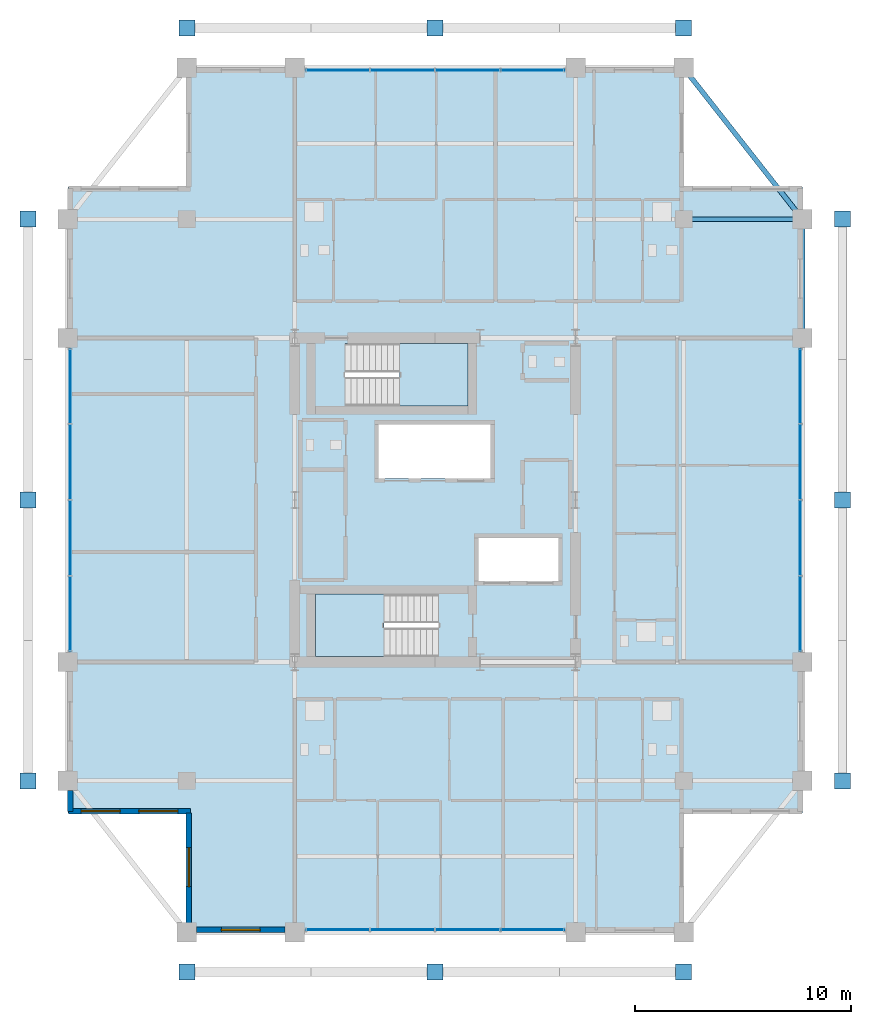
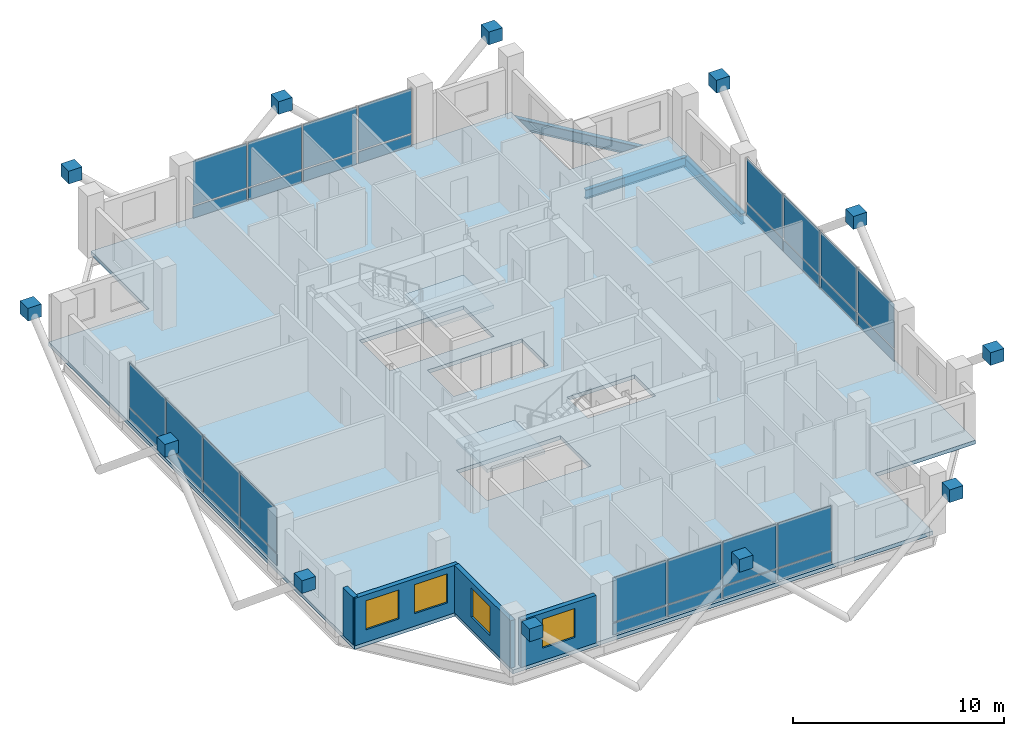
# One storey, part 17 of 23: 44 plates, 4 walls, 4 windows, 3 beams, 3 slabs, 4 openings, 6 elements without a shape of their own.
"""IFC4 building model written with IfcOpenShell, lengths in metres."""

from ifc_helpers import new_model, si_unit, direction, frame, frame_2d, origin, origin_2d, place, context, subcontext, project, spatial, polyline, rectangle, i_section, outline, extrude, material, layer, layer_set, material_profile, profile_set, type_object, element, fill, aggregate, save


model = new_model("IFC4")

# Units and contexts
model_context = context("Model", 3, precision=1e-05, world=origin(), true_north=direction((0.0, 1.0)))
body_context = subcontext(model_context, "Body", "Model", "MODEL_VIEW")
ifc_project = project(units=[si_unit("LENGTHUNIT", "METRE"), si_unit("AREAUNIT", "SQUARE_METRE"), si_unit("VOLUMEUNIT", "CUBIC_METRE"), si_unit("PLANEANGLEUNIT", "RADIAN"), si_unit("MASSUNIT", "GRAM", prefix="KILO")], contexts=[model_context])

# Site, building, storey
site_placement = place(None, origin())
site = spatial("IfcSite", under=ifc_project, at=site_placement, CompositionType="ELEMENT")
building_placement = place(site_placement, origin())
building = spatial("IfcBuilding", under=site, at=building_placement, Name="Barlavira Tower and Art Museum", CompositionType="ELEMENT")
storey_placement = place(building_placement, frame((0.0, 0.0, 236.699951171875)))
storey = spatial("IfcBuildingStorey", under=building, at=storey_placement, Name="L61", CompositionType="ELEMENT", Elevation=236.699951171875)

# Beams
ifc_material_1 = material(Name="Steel S355", Category="steel")
ifc_material_profile_1 = material_profile(ifc_material_1, i_section(OverallWidth=0.22998046875, OverallDepth=0.616943359375, WebThickness=0.01318359375, FlangeThickness=0.022216796875, at=origin_2d()), Name="W610x140.0")
ifc_profile_set_1 = profile_set([ifc_material_profile_1], Name="Steel S355")
beam_type_1 = type_object("IfcBeamType", Name="Upper Shaft Spandrel Edge Beam W610x140 Steel S355", PredefinedType="SPANDREL", material=ifc_profile_set_1)
beam_1_placement = place(storey_placement, frame((17.0, 7.5, -0.528564453125), z_axis=(0.0, 1.0, 0.0), x_axis=(-1.0, 0.0, 0.0)))
element("IfcBeam", 1, at=beam_1_placement, inside=storey, type_object=beam_type_1, Name="L61 Spandrel 7", PredefinedType="SPANDREL", context=body_context, shape_type="SweptSolid", body=[
    extrude(i_section(OverallWidth=0.22998046875, OverallDepth=0.616943359375, WebThickness=0.01318359375, FlangeThickness=0.022216796875, at=origin_2d()), origin(), (0.0, 0.0, 1.0), 5.5),
])
beam_2_placement = place(storey_placement, frame((17.0, 13.0, -0.528564453125), z_axis=(-0.617821551932, 0.786318338822, 0.0), x_axis=(-0.786318338822, -0.617821551932, 0.0)))
element("IfcBeam", 2, at=beam_2_placement, inside=storey, type_object=beam_type_1, Name="L61 Spandrel 8", PredefinedType="SPANDREL", context=body_context, shape_type="SweptSolid", body=[
    extrude(i_section(OverallWidth=0.22998046875, OverallDepth=0.616943359375, WebThickness=0.01318359375, FlangeThickness=0.022216796875, at=origin_2d()), origin(), (0.0, 0.0, 1.0), 8.90234375),
])
ifc_material_profile_2 = material_profile(ifc_material_1, i_section(OverallWidth=0.2109375, OverallDepth=0.5390625, WebThickness=0.01171875, FlangeThickness=0.018798828125, at=origin_2d()), Name="W530x109.0")
ifc_profile_set_2 = profile_set([ifc_material_profile_2], Name="Steel S355")
beam_type_2 = type_object("IfcBeamType", Name="Zone 3-4 Primary Floor Girder W530x109 Steel S355", PredefinedType="BEAM", material=ifc_profile_set_2)
beam_3_placement = place(storey_placement, frame((11.5, 13.0, -0.489501953125), z_axis=(1.0, 0.0, 0.0), x_axis=(0.0, 1.0, 0.0)))
element("IfcBeam", 3, at=beam_3_placement, inside=storey, type_object=beam_type_2, Name="L61 Girder I-N4", PredefinedType="BEAM", context=body_context, shape_type="SweptSolid", body=[
    extrude(i_section(OverallWidth=0.2109375, OverallDepth=0.5390625, WebThickness=0.01171875, FlangeThickness=0.018798828125, at=origin_2d()), origin(), (0.0, 0.0, 1.0), 5.5),
])

# Curtain wall, plates
ifc_material_2 = material(Name="Low-iron coastal laminated glass", Category="glass")
ifc_layer_1 = layer(ifc_material_2, 0.2099609375, Name="Low-iron coastal laminated glass")
ifc_layer_set_1 = layer_set([ifc_layer_1], Name="Low-iron coastal laminated glass")
curtain_wall_type = type_object("IfcCurtainWallType", Name="Pale-Metal Unitised Curtain Wall Zone 4", PredefinedType="NOTDEFINED", material=ifc_layer_set_1)
curtain_wall_1_placement = place(storey_placement, origin())
curtain_wall_1 = element("IfcCurtainWall", 4, at=curtain_wall_1_placement, inside=storey, type_object=curtain_wall_type, Name="L61 Curtain Wall CW4-L61-S-B2", PredefinedType="NOTDEFINED")
ifc_material_3 = material(Name="Pale anodised aluminium", Category="aluminium")
ifc_layer_2 = layer(ifc_material_3, 0.044921875, Name="Pale anodised aluminium")
ifc_layer_set_2 = layer_set([ifc_layer_2], Name="Pale anodised aluminium")
plate_type_1 = type_object("IfcPlateType", Name="Curtain Wall Pale-Metal Spandrel Panel 45", PredefinedType="CURTAIN_PANEL", material=ifc_layer_set_2)
plate_1_placement = place(storey_placement, frame((-4.5224609375, -19.89990234375, 0.0400390625), z_axis=(0.0, 0.0, 1.0), x_axis=(1.0, 0.0, 0.0)))
plate_1 = element("IfcPlate", 5, at=plate_1_placement, type_object=plate_type_1, Name="CW4-L61-S-B2 Spandrel Panel 0", PredefinedType="CURTAIN_PANEL", context=body_context, shape_type="SweptSolid", body=[
    extrude(rectangle(XDim=2.9150390625, YDim=0.044921875, at=origin_2d()), origin(), (0.0, 0.0, 1.0), 0.6640625),
])
plate_2_placement = place(storey_placement, frame((-1.507568359375, -19.89990234375, 0.0400390625), z_axis=(0.0, 0.0, 1.0), x_axis=(1.0, 0.0, 0.0)))
plate_2 = element("IfcPlate", 6, at=plate_2_placement, type_object=plate_type_1, Name="CW4-L61-S-B2 Spandrel Panel 1", PredefinedType="CURTAIN_PANEL", context=body_context, shape_type="SweptSolid", body=[
    extrude(rectangle(XDim=2.9150390625, YDim=0.044921875, at=origin_2d()), origin(), (0.0, 0.0, 1.0), 0.6640625),
])
plate_3_placement = place(storey_placement, frame((1.507568359375, -19.89990234375, 0.0400390625), z_axis=(0.0, 0.0, 1.0), x_axis=(1.0, 0.0, 0.0)))
plate_3 = element("IfcPlate", 7, at=plate_3_placement, type_object=plate_type_1, Name="CW4-L61-S-B2 Spandrel Panel 2", PredefinedType="CURTAIN_PANEL", context=body_context, shape_type="SweptSolid", body=[
    extrude(rectangle(XDim=2.9150390625, YDim=0.044921875, at=origin_2d()), origin(), (0.0, 0.0, 1.0), 0.6640625),
])
plate_4_placement = place(storey_placement, frame((4.5224609375, -19.89990234375, 0.0400390625), z_axis=(0.0, 0.0, 1.0), x_axis=(1.0, 0.0, 0.0)))
plate_4 = element("IfcPlate", 8, at=plate_4_placement, type_object=plate_type_1, Name="CW4-L61-S-B2 Spandrel Panel 3", PredefinedType="CURTAIN_PANEL", context=body_context, shape_type="SweptSolid", body=[
    extrude(rectangle(XDim=2.9150390625, YDim=0.044921875, at=origin_2d()), origin(), (0.0, 0.0, 1.0), 0.6640625),
])

curtain_wall_2_placement = place(storey_placement, origin())
curtain_wall_2 = element("IfcCurtainWall", 9, at=curtain_wall_2_placement, inside=storey, type_object=curtain_wall_type, Name="L61 Curtain Wall CW4-L61-N-B2", PredefinedType="NOTDEFINED")
plate_5_placement = place(storey_placement, frame((4.5224609375, 19.89990234375, 0.0400390625), z_axis=(0.0, 0.0, 1.0), x_axis=(-1.0, 0.0, 0.0)))
plate_5 = element("IfcPlate", 10, at=plate_5_placement, type_object=plate_type_1, Name="CW4-L61-N-B2 Spandrel Panel 0", PredefinedType="CURTAIN_PANEL", context=body_context, shape_type="SweptSolid", body=[
    extrude(rectangle(XDim=2.9150390625, YDim=0.044921875, at=origin_2d()), origin(), (0.0, 0.0, 1.0), 0.6640625),
])
plate_6_placement = place(storey_placement, frame((1.507568359375, 19.89990234375, 0.0400390625), z_axis=(0.0, 0.0, 1.0), x_axis=(-1.0, 0.0, 0.0)))
plate_6 = element("IfcPlate", 11, at=plate_6_placement, type_object=plate_type_1, Name="CW4-L61-N-B2 Spandrel Panel 1", PredefinedType="CURTAIN_PANEL", context=body_context, shape_type="SweptSolid", body=[
    extrude(rectangle(XDim=2.9150390625, YDim=0.044921875, at=origin_2d()), origin(), (0.0, 0.0, 1.0), 0.6640625),
])
plate_7_placement = place(storey_placement, frame((-1.507568359375, 19.89990234375, 0.0400390625), z_axis=(0.0, 0.0, 1.0), x_axis=(-1.0, 0.0, 0.0)))
plate_7 = element("IfcPlate", 12, at=plate_7_placement, type_object=plate_type_1, Name="CW4-L61-N-B2 Spandrel Panel 2", PredefinedType="CURTAIN_PANEL", context=body_context, shape_type="SweptSolid", body=[
    extrude(rectangle(XDim=2.9150390625, YDim=0.044921875, at=origin_2d()), origin(), (0.0, 0.0, 1.0), 0.6640625),
])
plate_8_placement = place(storey_placement, frame((-4.5224609375, 19.89990234375, 0.0400390625), z_axis=(0.0, 0.0, 1.0), x_axis=(-1.0, 0.0, 0.0)))
plate_8 = element("IfcPlate", 13, at=plate_8_placement, type_object=plate_type_1, Name="CW4-L61-N-B2 Spandrel Panel 3", PredefinedType="CURTAIN_PANEL", context=body_context, shape_type="SweptSolid", body=[
    extrude(rectangle(XDim=2.9150390625, YDim=0.044921875, at=origin_2d()), origin(), (0.0, 0.0, 1.0), 0.6640625),
])

curtain_wall_3_placement = place(storey_placement, origin())
curtain_wall_3 = element("IfcCurtainWall", 14, at=curtain_wall_3_placement, inside=storey, type_object=curtain_wall_type, Name="L61 Curtain Wall CW4-L61-W-B3", PredefinedType="NOTDEFINED")
plate_9_placement = place(storey_placement, frame((-16.89990234375, 5.2724609375, 0.0400390625), z_axis=(0.0, 0.0, 1.0), x_axis=(0.0, -1.0, 0.0)))
plate_9 = element("IfcPlate", 15, at=plate_9_placement, type_object=plate_type_1, Name="CW4-L61-W-B3 Spandrel Panel 0", PredefinedType="CURTAIN_PANEL", context=body_context, shape_type="SweptSolid", body=[
    extrude(rectangle(XDim=3.4150390625, YDim=0.044921875, at=origin_2d()), origin(), (0.0, 0.0, 1.0), 0.6640625),
])
plate_10_placement = place(storey_placement, frame((-16.89990234375, 1.757568359375, 0.0400390625), z_axis=(0.0, 0.0, 1.0), x_axis=(0.0, -1.0, 0.0)))
plate_10 = element("IfcPlate", 16, at=plate_10_placement, type_object=plate_type_1, Name="CW4-L61-W-B3 Spandrel Panel 1", PredefinedType="CURTAIN_PANEL", context=body_context, shape_type="SweptSolid", body=[
    extrude(rectangle(XDim=3.4150390625, YDim=0.044921875, at=origin_2d()), origin(), (0.0, 0.0, 1.0), 0.6640625),
])
plate_11_placement = place(storey_placement, frame((-16.89990234375, -1.757568359375, 0.0400390625), z_axis=(0.0, 0.0, 1.0), x_axis=(0.0, -1.0, 0.0)))
plate_11 = element("IfcPlate", 17, at=plate_11_placement, type_object=plate_type_1, Name="CW4-L61-W-B3 Spandrel Panel 2", PredefinedType="CURTAIN_PANEL", context=body_context, shape_type="SweptSolid", body=[
    extrude(rectangle(XDim=3.4150390625, YDim=0.044921875, at=origin_2d()), origin(), (0.0, 0.0, 1.0), 0.6640625),
])
plate_12_placement = place(storey_placement, frame((-16.89990234375, -5.2724609375, 0.0400390625), z_axis=(0.0, 0.0, 1.0), x_axis=(0.0, -1.0, 0.0)))
plate_12 = element("IfcPlate", 18, at=plate_12_placement, type_object=plate_type_1, Name="CW4-L61-W-B3 Spandrel Panel 3", PredefinedType="CURTAIN_PANEL", context=body_context, shape_type="SweptSolid", body=[
    extrude(rectangle(XDim=3.4150390625, YDim=0.044921875, at=origin_2d()), origin(), (0.0, 0.0, 1.0), 0.6640625),
])

curtain_wall_4_placement = place(storey_placement, origin())
curtain_wall_4 = element("IfcCurtainWall", 19, at=curtain_wall_4_placement, inside=storey, type_object=curtain_wall_type, Name="L61 Curtain Wall CW4-L61-E-B3", PredefinedType="NOTDEFINED")
plate_13_placement = place(storey_placement, frame((16.89990234375, -5.2724609375, 0.0400390625), z_axis=(0.0, 0.0, 1.0), x_axis=(0.0, 1.0, 0.0)))
plate_13 = element("IfcPlate", 20, at=plate_13_placement, type_object=plate_type_1, Name="CW4-L61-E-B3 Spandrel Panel 0", PredefinedType="CURTAIN_PANEL", context=body_context, shape_type="SweptSolid", body=[
    extrude(rectangle(XDim=3.4150390625, YDim=0.044921875, at=origin_2d()), origin(), (0.0, 0.0, 1.0), 0.6640625),
])
plate_14_placement = place(storey_placement, frame((16.89990234375, -1.757568359375, 0.0400390625), z_axis=(0.0, 0.0, 1.0), x_axis=(0.0, 1.0, 0.0)))
plate_14 = element("IfcPlate", 21, at=plate_14_placement, type_object=plate_type_1, Name="CW4-L61-E-B3 Spandrel Panel 1", PredefinedType="CURTAIN_PANEL", context=body_context, shape_type="SweptSolid", body=[
    extrude(rectangle(XDim=3.4150390625, YDim=0.044921875, at=origin_2d()), origin(), (0.0, 0.0, 1.0), 0.6640625),
])
plate_15_placement = place(storey_placement, frame((16.89990234375, 1.757568359375, 0.0400390625), z_axis=(0.0, 0.0, 1.0), x_axis=(0.0, 1.0, 0.0)))
plate_15 = element("IfcPlate", 22, at=plate_15_placement, type_object=plate_type_1, Name="CW4-L61-E-B3 Spandrel Panel 2", PredefinedType="CURTAIN_PANEL", context=body_context, shape_type="SweptSolid", body=[
    extrude(rectangle(XDim=3.4150390625, YDim=0.044921875, at=origin_2d()), origin(), (0.0, 0.0, 1.0), 0.6640625),
])
plate_16_placement = place(storey_placement, frame((16.89990234375, 5.2724609375, 0.0400390625), z_axis=(0.0, 0.0, 1.0), x_axis=(0.0, 1.0, 0.0)))
plate_16 = element("IfcPlate", 23, at=plate_16_placement, type_object=plate_type_1, Name="CW4-L61-E-B3 Spandrel Panel 3", PredefinedType="CURTAIN_PANEL", context=body_context, shape_type="SweptSolid", body=[
    extrude(rectangle(XDim=3.4150390625, YDim=0.044921875, at=origin_2d()), origin(), (0.0, 0.0, 1.0), 0.6640625),
])

# Plate
ifc_layer_3 = layer(ifc_material_2, 0.028076171875, Name="Low-iron coastal laminated glass")
ifc_layer_set_3 = layer_set([ifc_layer_3], Name="Low-iron coastal laminated glass")
plate_type_2 = type_object("IfcPlateType", Name="Curtain Wall Vision Glazing Panel 28", PredefinedType="CURTAIN_PANEL", material=ifc_layer_set_3)
plate_17_placement = place(storey_placement, frame((-4.5224609375, -19.89990234375, 0.7841796875), z_axis=(0.0, 0.0, 1.0), x_axis=(1.0, 0.0, 0.0)))
plate_17 = element("IfcPlate", 24, at=plate_17_placement, type_object=plate_type_2, Name="CW4-L61-S-B2 Vision Glass Panel 0", PredefinedType="CURTAIN_PANEL", context=body_context, shape_type="SweptSolid", body=[
    extrude(rectangle(XDim=2.9150390625, YDim=0.028076171875, at=origin_2d()), origin(), (0.0, 0.0, 1.0), 2.555908203125),
])

plate_18_placement = place(storey_placement, frame((-1.507568359375, -19.89990234375, 0.7841796875), z_axis=(0.0, 0.0, 1.0), x_axis=(1.0, 0.0, 0.0)))
plate_18 = element("IfcPlate", 25, at=plate_18_placement, type_object=plate_type_2, Name="CW4-L61-S-B2 Vision Glass Panel 1", PredefinedType="CURTAIN_PANEL", context=body_context, shape_type="SweptSolid", body=[
    extrude(rectangle(XDim=2.9150390625, YDim=0.028076171875, at=origin_2d()), origin(), (0.0, 0.0, 1.0), 2.555908203125),
])

plate_19_placement = place(storey_placement, frame((1.507568359375, -19.89990234375, 0.7841796875), z_axis=(0.0, 0.0, 1.0), x_axis=(1.0, 0.0, 0.0)))
plate_19 = element("IfcPlate", 26, at=plate_19_placement, type_object=plate_type_2, Name="CW4-L61-S-B2 Vision Glass Panel 2", PredefinedType="CURTAIN_PANEL", context=body_context, shape_type="SweptSolid", body=[
    extrude(rectangle(XDim=2.9150390625, YDim=0.028076171875, at=origin_2d()), origin(), (0.0, 0.0, 1.0), 2.555908203125),
])

plate_20_placement = place(storey_placement, frame((4.5224609375, -19.89990234375, 0.7841796875), z_axis=(0.0, 0.0, 1.0), x_axis=(1.0, 0.0, 0.0)))
plate_20 = element("IfcPlate", 27, at=plate_20_placement, type_object=plate_type_2, Name="CW4-L61-S-B2 Vision Glass Panel 3", PredefinedType="CURTAIN_PANEL", context=body_context, shape_type="SweptSolid", body=[
    extrude(rectangle(XDim=2.9150390625, YDim=0.028076171875, at=origin_2d()), origin(), (0.0, 0.0, 1.0), 2.555908203125),
])

aggregate(curtain_wall_1, [plate_1, plate_17, plate_2, plate_18, plate_3, plate_19, plate_4, plate_20])

plate_21_placement = place(storey_placement, frame((4.5224609375, 19.89990234375, 0.7841796875), z_axis=(0.0, 0.0, 1.0), x_axis=(-1.0, 0.0, 0.0)))
plate_21 = element("IfcPlate", 28, at=plate_21_placement, type_object=plate_type_2, Name="CW4-L61-N-B2 Vision Glass Panel 0", PredefinedType="CURTAIN_PANEL", context=body_context, shape_type="SweptSolid", body=[
    extrude(rectangle(XDim=2.9150390625, YDim=0.028076171875, at=origin_2d()), origin(), (0.0, 0.0, 1.0), 2.555908203125),
])

plate_22_placement = place(storey_placement, frame((1.507568359375, 19.89990234375, 0.7841796875), z_axis=(0.0, 0.0, 1.0), x_axis=(-1.0, 0.0, 0.0)))
plate_22 = element("IfcPlate", 29, at=plate_22_placement, type_object=plate_type_2, Name="CW4-L61-N-B2 Vision Glass Panel 1", PredefinedType="CURTAIN_PANEL", context=body_context, shape_type="SweptSolid", body=[
    extrude(rectangle(XDim=2.9150390625, YDim=0.028076171875, at=origin_2d()), origin(), (0.0, 0.0, 1.0), 2.555908203125),
])

plate_23_placement = place(storey_placement, frame((-1.507568359375, 19.89990234375, 0.7841796875), z_axis=(0.0, 0.0, 1.0), x_axis=(-1.0, 0.0, 0.0)))
plate_23 = element("IfcPlate", 30, at=plate_23_placement, type_object=plate_type_2, Name="CW4-L61-N-B2 Vision Glass Panel 2", PredefinedType="CURTAIN_PANEL", context=body_context, shape_type="SweptSolid", body=[
    extrude(rectangle(XDim=2.9150390625, YDim=0.028076171875, at=origin_2d()), origin(), (0.0, 0.0, 1.0), 2.555908203125),
])

plate_24_placement = place(storey_placement, frame((-4.5224609375, 19.89990234375, 0.7841796875), z_axis=(0.0, 0.0, 1.0), x_axis=(-1.0, 0.0, 0.0)))
plate_24 = element("IfcPlate", 31, at=plate_24_placement, type_object=plate_type_2, Name="CW4-L61-N-B2 Vision Glass Panel 3", PredefinedType="CURTAIN_PANEL", context=body_context, shape_type="SweptSolid", body=[
    extrude(rectangle(XDim=2.9150390625, YDim=0.028076171875, at=origin_2d()), origin(), (0.0, 0.0, 1.0), 2.555908203125),
])

aggregate(curtain_wall_2, [plate_5, plate_21, plate_6, plate_22, plate_7, plate_23, plate_8, plate_24])

plate_25_placement = place(storey_placement, frame((-16.89990234375, 5.2724609375, 0.7841796875), z_axis=(0.0, 0.0, 1.0), x_axis=(0.0, -1.0, 0.0)))
plate_25 = element("IfcPlate", 32, at=plate_25_placement, type_object=plate_type_2, Name="CW4-L61-W-B3 Vision Glass Panel 0", PredefinedType="CURTAIN_PANEL", context=body_context, shape_type="SweptSolid", body=[
    extrude(rectangle(XDim=3.4150390625, YDim=0.028076171875, at=origin_2d()), origin(), (0.0, 0.0, 1.0), 2.555908203125),
])

plate_26_placement = place(storey_placement, frame((-16.89990234375, 1.757568359375, 0.7841796875), z_axis=(0.0, 0.0, 1.0), x_axis=(0.0, -1.0, 0.0)))
plate_26 = element("IfcPlate", 33, at=plate_26_placement, type_object=plate_type_2, Name="CW4-L61-W-B3 Vision Glass Panel 1", PredefinedType="CURTAIN_PANEL", context=body_context, shape_type="SweptSolid", body=[
    extrude(rectangle(XDim=3.4150390625, YDim=0.028076171875, at=origin_2d()), origin(), (0.0, 0.0, 1.0), 2.555908203125),
])

plate_27_placement = place(storey_placement, frame((-16.89990234375, -1.757568359375, 0.7841796875), z_axis=(0.0, 0.0, 1.0), x_axis=(0.0, -1.0, 0.0)))
plate_27 = element("IfcPlate", 34, at=plate_27_placement, type_object=plate_type_2, Name="CW4-L61-W-B3 Vision Glass Panel 2", PredefinedType="CURTAIN_PANEL", context=body_context, shape_type="SweptSolid", body=[
    extrude(rectangle(XDim=3.4150390625, YDim=0.028076171875, at=origin_2d()), origin(), (0.0, 0.0, 1.0), 2.555908203125),
])

plate_28_placement = place(storey_placement, frame((-16.89990234375, -5.2724609375, 0.7841796875), z_axis=(0.0, 0.0, 1.0), x_axis=(0.0, -1.0, 0.0)))
plate_28 = element("IfcPlate", 35, at=plate_28_placement, type_object=plate_type_2, Name="CW4-L61-W-B3 Vision Glass Panel 3", PredefinedType="CURTAIN_PANEL", context=body_context, shape_type="SweptSolid", body=[
    extrude(rectangle(XDim=3.4150390625, YDim=0.028076171875, at=origin_2d()), origin(), (0.0, 0.0, 1.0), 2.555908203125),
])

aggregate(curtain_wall_3, [plate_9, plate_25, plate_10, plate_26, plate_11, plate_27, plate_12, plate_28])

plate_29_placement = place(storey_placement, frame((16.89990234375, -5.2724609375, 0.7841796875), z_axis=(0.0, 0.0, 1.0), x_axis=(0.0, 1.0, 0.0)))
plate_29 = element("IfcPlate", 36, at=plate_29_placement, type_object=plate_type_2, Name="CW4-L61-E-B3 Vision Glass Panel 0", PredefinedType="CURTAIN_PANEL", context=body_context, shape_type="SweptSolid", body=[
    extrude(rectangle(XDim=3.4150390625, YDim=0.028076171875, at=origin_2d()), origin(), (0.0, 0.0, 1.0), 2.555908203125),
])

plate_30_placement = place(storey_placement, frame((16.89990234375, -1.757568359375, 0.7841796875), z_axis=(0.0, 0.0, 1.0), x_axis=(0.0, 1.0, 0.0)))
plate_30 = element("IfcPlate", 37, at=plate_30_placement, type_object=plate_type_2, Name="CW4-L61-E-B3 Vision Glass Panel 1", PredefinedType="CURTAIN_PANEL", context=body_context, shape_type="SweptSolid", body=[
    extrude(rectangle(XDim=3.4150390625, YDim=0.028076171875, at=origin_2d()), origin(), (0.0, 0.0, 1.0), 2.555908203125),
])

plate_31_placement = place(storey_placement, frame((16.89990234375, 1.757568359375, 0.7841796875), z_axis=(0.0, 0.0, 1.0), x_axis=(0.0, 1.0, 0.0)))
plate_31 = element("IfcPlate", 38, at=plate_31_placement, type_object=plate_type_2, Name="CW4-L61-E-B3 Vision Glass Panel 2", PredefinedType="CURTAIN_PANEL", context=body_context, shape_type="SweptSolid", body=[
    extrude(rectangle(XDim=3.4150390625, YDim=0.028076171875, at=origin_2d()), origin(), (0.0, 0.0, 1.0), 2.555908203125),
])

plate_32_placement = place(storey_placement, frame((16.89990234375, 5.2724609375, 0.7841796875), z_axis=(0.0, 0.0, 1.0), x_axis=(0.0, 1.0, 0.0)))
plate_32 = element("IfcPlate", 39, at=plate_32_placement, type_object=plate_type_2, Name="CW4-L61-E-B3 Vision Glass Panel 3", PredefinedType="CURTAIN_PANEL", context=body_context, shape_type="SweptSolid", body=[
    extrude(rectangle(XDim=3.4150390625, YDim=0.028076171875, at=origin_2d()), origin(), (0.0, 0.0, 1.0), 2.555908203125),
])

aggregate(curtain_wall_4, [plate_13, plate_29, plate_14, plate_30, plate_15, plate_31, plate_16, plate_32])

# Plates
ifc_layer_4 = layer(ifc_material_1, 0.739990234375, Name="Steel S355")
ifc_layer_set_4 = layer_set([ifc_layer_4], Name="Steel S355")
plate_type_3 = type_object("IfcPlateType", Name="Exoskeleton Solid Steel Node Cap Plate Assembly Type 4 Steel S355", PredefinedType="USERDEFINED", material=ifc_layer_set_4)
for number, where, z_axis, x_axis, name in (
    (40, (-11.5, -21.85009765625, 3.10986328125), (0.0, 0.0, 1.0), (1.0, 0.0, 0.0), "Exoskeleton Node S ND-L61-0669"),
    (41, (0.0, -21.85009765625, 3.10986328125), (0.0, 0.0, 1.0), (1.0, 0.0, 0.0), "Exoskeleton Node S ND-L61-0670"),
    (42, (11.5, -21.85009765625, 3.10986328125), (0.0, 0.0, 1.0), (1.0, 0.0, 0.0), "Exoskeleton Node S ND-L61-0671"),
    (43, (-11.5, 21.85009765625, 3.10986328125), (0.0, 0.0, 1.0), (1.0, 0.0, 0.0), "Exoskeleton Node N ND-L61-0677"),
    (44, (0.0, 21.85009765625, 3.10986328125), (0.0, 0.0, 1.0), (1.0, 0.0, 0.0), "Exoskeleton Node N ND-L61-0678"),
    (45, (11.5, 21.85009765625, 3.10986328125), (0.0, 0.0, 1.0), (1.0, 0.0, 0.0), "Exoskeleton Node N ND-L61-0679"),
    (46, (-18.85009765625, -13.0, 3.10986328125), (0.0, 0.0, 1.0), (1.0, 0.0, 0.0), "Exoskeleton Node W ND-L61-0685"),
    (47, (-18.85009765625, 0.0, 3.10986328125), (0.0, 0.0, 1.0), (1.0, 0.0, 0.0), "Exoskeleton Node W ND-L61-0686"),
    (48, (-18.85009765625, 13.0, 3.10986328125), (0.0, 0.0, 1.0), (1.0, 0.0, 0.0), "Exoskeleton Node W ND-L61-0687"),
    (49, (18.85009765625, -13.0, 3.10986328125), (0.0, 0.0, 1.0), (1.0, 0.0, 0.0), "Exoskeleton Node E ND-L61-0693"),
    (50, (18.85009765625, 0.0, 3.10986328125), (0.0, 0.0, 1.0), (1.0, 0.0, 0.0), "Exoskeleton Node E ND-L61-0694"),
    (51, (18.85009765625, 13.0, 3.10986328125), (0.0, 0.0, 1.0), (1.0, 0.0, 0.0), "Exoskeleton Node E ND-L61-0695"),
):
    element("IfcPlate", number, at=place(storey_placement, frame(where, z_axis=z_axis, x_axis=x_axis)), inside=storey, type_object=plate_type_3, Name=name, ObjectType="FLANGE_PLATE", PredefinedType="USERDEFINED", context=body_context, shape_type="SweptSolid", body=[
        extrude(rectangle(XDim=0.739990234375, YDim=0.739990234375, at=origin_2d()), origin(), (0.0, 0.0, 1.0), 0.739990234375),
    ])

# Stair, slab
ifc_material_4 = material(Name="Concrete C45", Category="concrete")
stair_type_1 = type_object("IfcStairType", Name="Tower North Dog-Leg Exit Stair Assembly Concrete C45", PredefinedType="TWO_QUARTER_TURN_STAIR", material=ifc_material_4)
stair_1_placement = place(storey_placement, origin())
stair_1 = element("IfcStair", 52, at=stair_1_placement, inside=storey, type_object=stair_type_1, Name="L61 Tower North Exit Stair ST-T2", PredefinedType="TWO_QUARTER_TURN_STAIR")
ifc_layer_5 = layer(ifc_material_4, 0.199951171875, Name="Concrete C45")
ifc_layer_set_5 = layer_set([ifc_layer_5], Name="Concrete C45")
slab_type_1 = type_object("IfcSlabType", Name="Tower North Dog-Leg Exit Stair Half-Landing Slab 200 Concrete C45", PredefinedType="LANDING", material=ifc_layer_set_5)
slab_1_placement = place(storey_placement, frame((0.0, 0.0, 1.60009765625)))
slab_1 = element("IfcSlab", 53, at=slab_1_placement, type_object=slab_type_1, Name="ST-T2 landing 1", PredefinedType="LANDING", context=body_context, shape_type="SweptSolid", body=[
    extrude(outline(polyline([(-1.64990234375, 4.35009765625), (1.530029296875, 4.35009765625), (1.530029296875, 7.25), (-1.64990234375, 7.25), (-1.64990234375, 4.35009765625)])), origin(), (0.0, 0.0, 1.0), 0.199951171875),
])
aggregate(stair_1, [slab_1])

stair_type_2 = type_object("IfcStairType", Name="Tower South Dog-Leg Exit Stair Assembly Concrete C45", PredefinedType="TWO_QUARTER_TURN_STAIR", material=ifc_material_4)
stair_2_placement = place(storey_placement, origin())
stair_2 = element("IfcStair", 54, at=stair_2_placement, inside=storey, type_object=stair_type_2, Name="L61 Tower South Exit Stair ST-T1", PredefinedType="TWO_QUARTER_TURN_STAIR")
ifc_layer_6 = layer(ifc_material_4, 0.199951171875, Name="Concrete C45")
ifc_layer_set_6 = layer_set([ifc_layer_6], Name="Concrete C45")
slab_type_2 = type_object("IfcSlabType", Name="Tower South Dog-Leg Exit Stair Half-Landing Slab 200 Concrete C45", PredefinedType="LANDING", material=ifc_layer_set_6)
slab_2_placement = place(storey_placement, frame((0.0, 0.0, 1.60009765625)))
slab_2 = element("IfcSlab", 55, at=slab_2_placement, type_object=slab_type_2, Name="ST-T1 landing 1", PredefinedType="LANDING", context=body_context, shape_type="SweptSolid", body=[
    extrude(outline(polyline([(-2.3701171875, -4.35009765625), (-5.550048828125, -4.35009765625), (-5.550048828125, -7.25), (-2.3701171875, -7.25), (-2.3701171875, -4.35009765625)])), origin(), (0.0, 0.0, 1.0), 0.199951171875),
])
aggregate(stair_2, [slab_2])

# Slab
ifc_material_5 = material(Name="Concrete C50", Category="concrete")
ifc_layer_7 = layer(ifc_material_5, 0.18994140625, Name="Concrete C50")
ifc_layer_set_7 = layer_set([ifc_layer_7], Name="Concrete C50")
slab_type_3 = type_object("IfcSlabType", Name="Zone 4 Residential Composite Slab 190 Concrete C50", PredefinedType="FLOOR", material=ifc_layer_set_7)
slab_3_placement = place(storey_placement, frame((0.0, 0.0, -0.219970703125)))
element("IfcSlab", 56, at=slab_3_placement, inside=storey, type_object=slab_type_3, Name="L61 Tower Floor Slab", PredefinedType="FLOOR", context=body_context, shape_type="SweptSolid", body=[
    extrude(outline(polyline([(-11.5, -20.0), (11.5, -20.0), (11.5, -14.5), (17.0, -14.5), (17.0, 14.5), (11.5, 14.5), (11.5, 20.0), (-11.5, 20.0), (-11.5, 14.5), (-17.0, 14.5), (-17.0, -14.5), (-11.5, -14.5), (-11.5, -20.0)]), holes=[polyline([(0.14990234375, -4.35009765625), (-5.550048828125, -4.35009765625), (-5.550048828125, -7.25), (0.14990234375, -7.25), (0.14990234375, -4.35009765625)]), polyline([(-4.169921875, 4.35009765625), (1.530029296875, 4.35009765625), (1.530029296875, 7.25), (-4.169921875, 7.25), (-4.169921875, 4.35009765625)]), polyline([(-2.6201171875, 1.0), (2.56005859375, 1.0), (2.56005859375, 3.5), (-2.6201171875, 3.5), (-2.6201171875, 1.0)]), polyline([(2.0, -3.75), (5.699951171875, -3.75), (5.699951171875, -1.75), (2.0, -1.75), (2.0, -3.75)])]), origin(), (0.0, 0.0, 1.0), 0.219970703125),
])

# Wall, opening, window
ifc_material_6 = material(Name="Precast concrete C40", Category="concrete")
ifc_layer_8 = layer(ifc_material_6, 0.25, Name="Precast concrete C40")
ifc_layer_set_8 = layer_set([ifc_layer_8], Name="Precast concrete C40")
wall_type = type_object("IfcWallType", Name="Notched Corner Spandrel Wall 250 Precast Concrete C40", PredefinedType="SOLIDWALL", material=ifc_layer_set_8)
wall_1_placement = place(storey_placement, frame((-11.054931640625, -19.89990234375, 0.0), z_axis=(0.0, 0.0, 1.0), x_axis=(1.0, 0.0, 0.0)))
wall_1 = element("IfcWall", 57, at=wall_1_placement, inside=storey, type_object=wall_type, Name="L61 Coastal Facade Pier Wall CW4-L61-S-1", PredefinedType="SOLIDWALL", context=body_context, shape_type="SweptSolid", body=[
    extrude(rectangle(XDim=4.10986328125, YDim=0.25, at=frame_2d((2.054931640625, 0.0))), origin(), (0.0, 0.0, 1.0), 2.748046875),
])
opening_1_placement = place(wall_1_placement, frame((1.155029296875, 0.0, 0.719970703125)))
opening_1 = element("IfcOpeningElement", 58, at=opening_1_placement, cuts=wall_1, Name="Opening WN-01", PredefinedType="OPENING", context=body_context, shape_type="SweptSolid", body=[
    extrude(rectangle(XDim=1.800048828125, YDim=1.679931640625, at=frame_2d((0.89990234375, 0.83984375))), frame((0.0, 0.135009765625, 0.0), z_axis=(0.0, -1.0, 0.0), x_axis=(1.0, 0.0, 0.0)), (0.0, 0.0, 1.0), 0.27001953125),
])
window_type = type_object("IfcWindowType", Name="Recessed Notch Corner Punch Window 1800x1680", PartitioningType="SINGLE_PANEL", PredefinedType="WINDOW", material=ifc_material_2)
window_1_placement = place(opening_1_placement, origin())
window_1 = element("IfcWindow", 59, at=window_1_placement, inside=storey, type_object=window_type, Name="L61 Punched Facade Window EWP-CW4-L61-S-1-1", OverallHeight=1.679931640625, OverallWidth=1.800048828125, PartitioningType="SINGLE_PANEL", PredefinedType="WINDOW", context=body_context, shape_type="SweptSolid", body=[
    extrude(rectangle(XDim=1.800048828125, YDim=1.679931640625, at=frame_2d((0.89990234375, 0.83984375))), frame((0.0, 0.030029296875, 0.0), z_axis=(0.0, -1.0, 0.0), x_axis=(1.0, 0.0, 0.0)), (0.0, 0.0, 1.0), 0.06005859375),
])
fill(opening_1, window_1)

# Wall
wall_2_placement = place(storey_placement, frame((-16.89990234375, -13.445068359375, 0.0), z_axis=(0.0, 0.0, 1.0), x_axis=(0.0, -1.0, 0.0)))
element("IfcWall", 60, at=wall_2_placement, inside=storey, type_object=wall_type, Name="L61 Coastal Facade Pier Wall CW4-L61-W-5", PredefinedType="SOLIDWALL", context=body_context, shape_type="SweptSolid", body=[
    extrude(rectangle(XDim=0.97998046875, YDim=0.25, at=frame_2d((0.489990234375, 0.0))), origin(), (0.0, 0.0, 1.0), 2.748046875),
])

# Wall, openings, windows
wall_3_placement = place(storey_placement, frame((-16.97998046875, -14.39990234375, 0.0), z_axis=(0.0, 0.0, 1.0), x_axis=(1.0, 0.0, 0.0)))
wall_3 = element("IfcWall", 61, at=wall_3_placement, inside=storey, type_object=wall_type, Name="L61 Notch Corner Wall SW1", PredefinedType="SOLIDWALL", context=body_context, shape_type="SweptSolid", body=[
    extrude(rectangle(XDim=5.659912109375, YDim=0.25, at=frame_2d((2.830078125, 0.0))), origin(), (0.0, 0.0, 1.0), 2.748046875),
])
opening_2_placement = place(wall_3_placement, frame((0.594970703125, 0.0, 0.719970703125)))
opening_2 = element("IfcOpeningElement", 62, at=opening_2_placement, cuts=wall_3, Name="Opening WN-01", PredefinedType="OPENING", context=body_context, shape_type="SweptSolid", body=[
    extrude(rectangle(XDim=1.800048828125, YDim=1.679931640625, at=frame_2d((0.89990234375, 0.83984375))), frame((0.0, 0.135009765625, 0.0), z_axis=(0.0, -1.0, 0.0), x_axis=(1.0, 0.0, 0.0)), (0.0, 0.0, 1.0), 0.27001953125),
])
opening_3_placement = place(wall_3_placement, frame((3.264892578125, 0.0, 0.719970703125)))
opening_3 = element("IfcOpeningElement", 63, at=opening_3_placement, cuts=wall_3, Name="Opening WN-01", PredefinedType="OPENING", context=body_context, shape_type="SweptSolid", body=[
    extrude(rectangle(XDim=1.800048828125, YDim=1.679931640625, at=frame_2d((0.89990234375, 0.83984375))), frame((0.0, 0.135009765625, 0.0), z_axis=(0.0, -1.0, 0.0), x_axis=(1.0, 0.0, 0.0)), (0.0, 0.0, 1.0), 0.27001953125),
])
window_2_placement = place(opening_2_placement, origin())
window_2 = element("IfcWindow", 64, at=window_2_placement, inside=storey, type_object=window_type, Name="L61 Punched Facade Window EW-NTC-L61-SW1-1", OverallHeight=1.679931640625, OverallWidth=1.800048828125, PartitioningType="SINGLE_PANEL", PredefinedType="WINDOW", context=body_context, shape_type="SweptSolid", body=[
    extrude(rectangle(XDim=1.800048828125, YDim=1.679931640625, at=frame_2d((0.89990234375, 0.83984375))), frame((0.0, 0.030029296875, 0.0), z_axis=(0.0, -1.0, 0.0), x_axis=(1.0, 0.0, 0.0)), (0.0, 0.0, 1.0), 0.06005859375),
])
fill(opening_2, window_2)
window_3_placement = place(opening_3_placement, origin())
window_3 = element("IfcWindow", 65, at=window_3_placement, inside=storey, type_object=window_type, Name="L61 Punched Facade Window EW-NTC-L61-SW1-2", OverallHeight=1.679931640625, OverallWidth=1.800048828125, PartitioningType="SINGLE_PANEL", PredefinedType="WINDOW", context=body_context, shape_type="SweptSolid", body=[
    extrude(rectangle(XDim=1.800048828125, YDim=1.679931640625, at=frame_2d((0.89990234375, 0.83984375))), frame((0.0, 0.030029296875, 0.0), z_axis=(0.0, -1.0, 0.0), x_axis=(1.0, 0.0, 0.0)), (0.0, 0.0, 1.0), 0.06005859375),
])
fill(opening_3, window_3)

# Wall, opening, window
wall_4_placement = place(storey_placement, frame((-11.39990234375, -14.47998046875, 0.0), z_axis=(0.0, 0.0, 1.0), x_axis=(0.0, -1.0, 0.0)))
wall_4 = element("IfcWall", 66, at=wall_4_placement, inside=storey, type_object=wall_type, Name="L61 Notch Corner Wall SW2", PredefinedType="SOLIDWALL", context=body_context, shape_type="SweptSolid", body=[
    extrude(rectangle(XDim=5.340087890625, YDim=0.25, at=frame_2d((2.669921875, 0.0))), origin(), (0.0, 0.0, 1.0), 2.748046875),
])
opening_4_placement = place(wall_4_placement, frame((1.614990234375, 0.0, 0.719970703125)))
opening_4 = element("IfcOpeningElement", 67, at=opening_4_placement, cuts=wall_4, Name="Opening WN-01", PredefinedType="OPENING", context=body_context, shape_type="SweptSolid", body=[
    extrude(rectangle(XDim=1.800048828125, YDim=1.679931640625, at=frame_2d((0.89990234375, 0.83984375))), frame((0.0, 0.135009765625, 0.0), z_axis=(0.0, -1.0, 0.0), x_axis=(1.0, 0.0, 0.0)), (0.0, 0.0, 1.0), 0.27001953125),
])
window_4_placement = place(opening_4_placement, origin())
window_4 = element("IfcWindow", 68, at=window_4_placement, inside=storey, type_object=window_type, Name="L61 Punched Facade Window EW-NTC-L61-SW2-1", OverallHeight=1.679931640625, OverallWidth=1.800048828125, PartitioningType="SINGLE_PANEL", PredefinedType="WINDOW", context=body_context, shape_type="SweptSolid", body=[
    extrude(rectangle(XDim=1.800048828125, YDim=1.679931640625, at=frame_2d((0.89990234375, 0.83984375))), frame((0.0, 0.030029296875, 0.0), z_axis=(0.0, -1.0, 0.0), x_axis=(1.0, 0.0, 0.0)), (0.0, 0.0, 1.0), 0.06005859375),
])
fill(opening_4, window_4)

save(model, "model.ifc")
